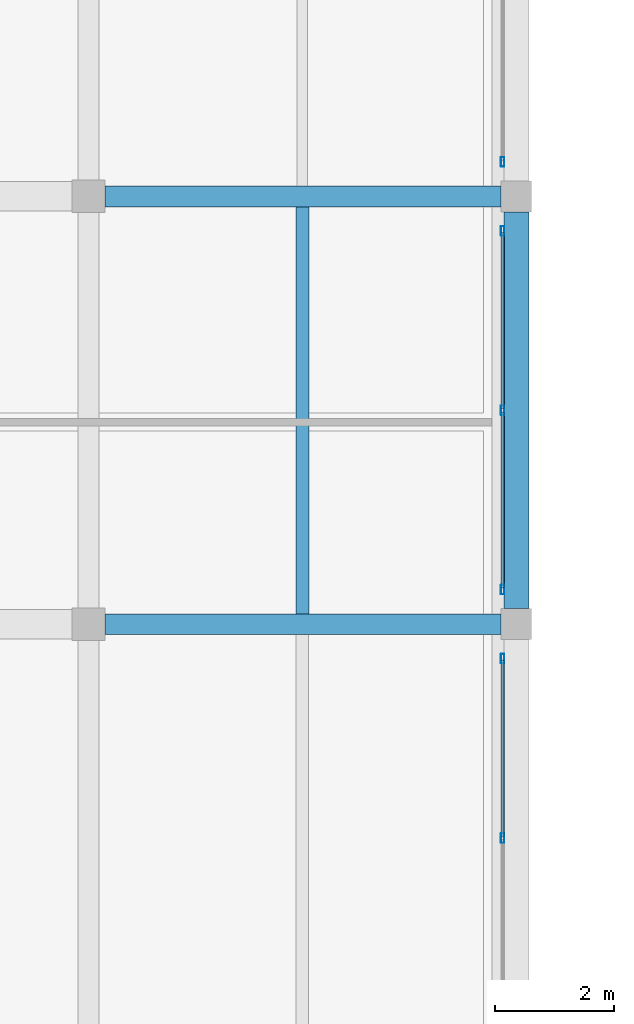
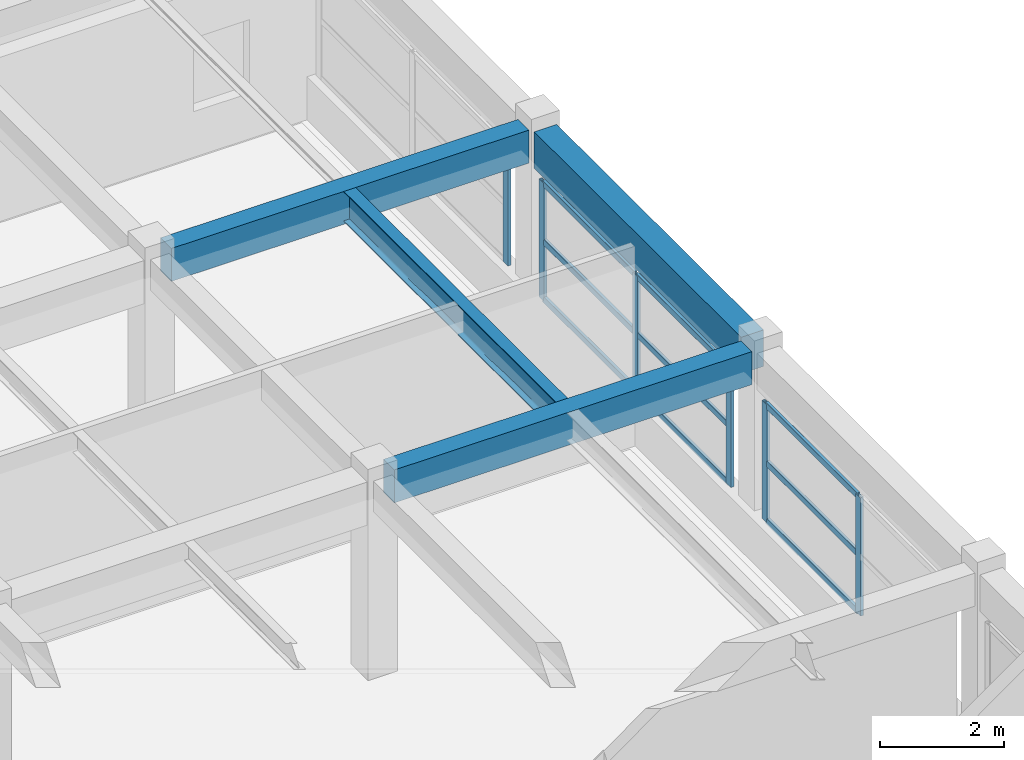
# One storey, part 10 of 67: 15 members, 4 beams, 3 elements without a shape of their own.
"""IFC4 building model written with IfcOpenShell, lengths in metres."""

from ifc_helpers import new_model, si_unit, direction, frame, origin, origin_2d, place, context, subcontext, project, spatial, rectangle, hollow_rectangle, i_section, extrude, material, material_profile, profile_set, type_object, element, aggregate, save


model = new_model("IFC4")

# Units and contexts
model_context = context("Model", 3, precision=1e-05, world=origin(), true_north=direction((0.0, 1.0)))
body_context = subcontext(model_context, "Body", "Model", "MODEL_VIEW")
ifc_project = project(units=[si_unit("LENGTHUNIT", "METRE"), si_unit("AREAUNIT", "SQUARE_METRE"), si_unit("VOLUMEUNIT", "CUBIC_METRE"), si_unit("PLANEANGLEUNIT", "RADIAN"), si_unit("MASSUNIT", "GRAM", prefix="KILO")], contexts=[model_context])

# Site, building, storey
site_placement = place(None, origin())
site = spatial("IfcSite", under=ifc_project, at=site_placement, CompositionType="ELEMENT")
building_placement = place(site_placement, origin())
building = spatial("IfcBuilding", under=site, at=building_placement, Name="Bramveld Media Centre", CompositionType="ELEMENT")
storey_placement = place(building_placement, frame((0.0, 0.0, 5.39990234375)))
storey = spatial("IfcBuildingStorey", under=building, at=storey_placement, Name="L01", CompositionType="ELEMENT", Elevation=5.39990234375)

# Beams
ifc_material_1 = material(Name="Concrete C40/50", Category="concrete")
ifc_material_profile_1 = material_profile(ifc_material_1, rectangle(XDim=0.35009765625, YDim=0.64990234375, at=origin_2d()), Name="RC 350x650")
ifc_profile_set_1 = profile_set([ifc_material_profile_1], Name="Concrete C40/50")
beam_type_1 = type_object("IfcBeamType", Name="BM-INT-RC-350x650", PredefinedType="BEAM", material=ifc_profile_set_1)
for number, where, z_axis, x_axis, name in (
    (1, (29.074951171875, 53.60009765625, 3.614990234375), (1.0, 0.0, 0.0), (0.0, 1.0, 0.0), "V3 L01 girder X-271"),
    (2, (29.074951171875, 60.800048828125, 3.614990234375), (1.0, 0.0, 0.0), (0.0, 1.0, 0.0), "V3 L01 girder X-276"),
):
    element("IfcBeam", number, at=place(storey_placement, frame(where, z_axis=z_axis, x_axis=x_axis)), inside=storey, type_object=beam_type_1, Name=name, PredefinedType="BEAM", context=body_context, shape_type="SweptSolid", body=[
        extrude(rectangle(XDim=0.35009765625, YDim=0.64990234375, at=origin_2d()), origin(), (0.0, 0.0, 1.0), 6.6650390625),
    ])

# Curtain wall, members
ifc_material_2 = material(Name="Thermally broken anodized bronze aluminium unitized curtain wall with solar-control triple glazing", Category="aluminium")
curtain_wall_type = type_object("IfcCurtainWallType", Name="CW-FACV3-6100x2330", PredefinedType="NOTDEFINED", material=ifc_material_2)
curtain_wall_1_placement = place(storey_placement, origin())
curtain_wall_1 = element("IfcCurtainWall", 3, at=curtain_wall_1_placement, inside=storey, type_object=curtain_wall_type, Name="V3 L01 E curtain wall bay 2", PredefinedType="NOTDEFINED")
ifc_material_3 = material(Name="Thermally broken anodized bronze aluminium EN AW-6063 T6 curtain-wall framing", Category="aluminium")
ifc_material_profile_2 = material_profile(ifc_material_3, hollow_rectangle(XDim=0.06005859375, YDim=0.159912109375, WallThickness=0.00390625, InnerFilletRadius=0.00390625, OuterFilletRadius=0.008056640625, at=origin_2d()), Name="AL-MULL 60x160")
ifc_profile_set_2 = profile_set([ifc_material_profile_2], Name="Thermally broken anodized bronze aluminium EN AW-6063 T6 curtain-wall framing")
member_type_1 = type_object("IfcMemberType", Name="CW-MULL-EXT", PredefinedType="MULLION", material=ifc_profile_set_2)
member_1_placement = place(storey_placement, frame((35.77001953125, 50.0, 0.85009765625), z_axis=(0.0, 0.0, 1.0), x_axis=(-1.0, 0.0, 0.0)))
member_1 = element("IfcMember", 4, at=member_1_placement, type_object=member_type_1, Name="CW-FA-6123 mullion 2", PredefinedType="MULLION", context=body_context, shape_type="SweptSolid", body=[
    extrude(hollow_rectangle(XDim=0.06005859375, YDim=0.159912109375, WallThickness=0.00390625, InnerFilletRadius=0.00390625, OuterFilletRadius=0.008056640625, at=origin_2d()), origin(), (0.0, 0.0, 1.0), 2.330078125),
])
member_2_placement = place(storey_placement, frame((35.77001953125, 53.02001953125, 0.85009765625), z_axis=(0.0, 0.0, 1.0), x_axis=(-1.0, 0.0, 0.0)))
member_2 = element("IfcMember", 5, at=member_2_placement, type_object=member_type_1, Name="CW-FA-6123 mullion 3", PredefinedType="MULLION", context=body_context, shape_type="SweptSolid", body=[
    extrude(hollow_rectangle(XDim=0.06005859375, YDim=0.159912109375, WallThickness=0.00390625, InnerFilletRadius=0.00390625, OuterFilletRadius=0.008056640625, at=origin_2d()), origin(), (0.0, 0.0, 1.0), 2.330078125),
])

curtain_wall_2_placement = place(storey_placement, origin())
curtain_wall_2 = element("IfcCurtainWall", 6, at=curtain_wall_2_placement, inside=storey, type_object=curtain_wall_type, Name="V3 L01 E curtain wall bay 3", PredefinedType="NOTDEFINED")
member_3_placement = place(storey_placement, frame((35.77001953125, 54.179931640625, 0.85009765625), z_axis=(0.0, 0.0, 1.0), x_axis=(-1.0, 0.0, 0.0)))
member_3 = element("IfcMember", 7, at=member_3_placement, type_object=member_type_1, Name="CW-FA-6123 mullion 1", PredefinedType="MULLION", context=body_context, shape_type="SweptSolid", body=[
    extrude(hollow_rectangle(XDim=0.06005859375, YDim=0.159912109375, WallThickness=0.00390625, InnerFilletRadius=0.00390625, OuterFilletRadius=0.008056640625, at=origin_2d()), origin(), (0.0, 0.0, 1.0), 2.330078125),
])
member_4_placement = place(storey_placement, frame((35.77001953125, 57.199951171875, 0.85009765625), z_axis=(0.0, 0.0, 1.0), x_axis=(-1.0, 0.0, 0.0)))
member_4 = element("IfcMember", 8, at=member_4_placement, type_object=member_type_1, Name="CW-FA-6123 mullion 2", PredefinedType="MULLION", context=body_context, shape_type="SweptSolid", body=[
    extrude(hollow_rectangle(XDim=0.06005859375, YDim=0.159912109375, WallThickness=0.00390625, InnerFilletRadius=0.00390625, OuterFilletRadius=0.008056640625, at=origin_2d()), origin(), (0.0, 0.0, 1.0), 2.330078125),
])
member_5_placement = place(storey_placement, frame((35.77001953125, 60.219970703125, 0.85009765625), z_axis=(0.0, 0.0, 1.0), x_axis=(-1.0, 0.0, 0.0)))
member_5 = element("IfcMember", 9, at=member_5_placement, type_object=member_type_1, Name="CW-FA-6123 mullion 3", PredefinedType="MULLION", context=body_context, shape_type="SweptSolid", body=[
    extrude(hollow_rectangle(XDim=0.06005859375, YDim=0.159912109375, WallThickness=0.00390625, InnerFilletRadius=0.00390625, OuterFilletRadius=0.008056640625, at=origin_2d()), origin(), (0.0, 0.0, 1.0), 2.330078125),
])

# Curtain wall, member
curtain_wall_3_placement = place(storey_placement, origin())
curtain_wall_3 = element("IfcCurtainWall", 10, at=curtain_wall_3_placement, inside=storey, type_object=curtain_wall_type, Name="V3 L01 E curtain wall bay 4", PredefinedType="NOTDEFINED")
member_6_placement = place(storey_placement, frame((35.77001953125, 61.3798828125, 0.85009765625), z_axis=(0.0, 0.0, 1.0), x_axis=(-1.0, 0.0, 0.0)))
member_6 = element("IfcMember", 11, at=member_6_placement, type_object=member_type_1, Name="CW-FA-6123 mullion 1", PredefinedType="MULLION", context=body_context, shape_type="SweptSolid", body=[
    extrude(hollow_rectangle(XDim=0.06005859375, YDim=0.159912109375, WallThickness=0.00390625, InnerFilletRadius=0.00390625, OuterFilletRadius=0.008056640625, at=origin_2d()), origin(), (0.0, 0.0, 1.0), 2.330078125),
])
aggregate(curtain_wall_3, [member_6])

# Member
ifc_material_4 = material(Name="Thermally broken anodized bronze aluminium EN AW-6063 T6 curtain-wall framing", Category="aluminium")
ifc_material_profile_3 = material_profile(ifc_material_4, hollow_rectangle(XDim=0.06005859375, YDim=0.1201171875, WallThickness=0.00341796875, InnerFilletRadius=0.00341796875, OuterFilletRadius=0.007080078125, at=origin_2d()), Name="AL-TRAN 60x120")
ifc_profile_set_3 = profile_set([ifc_material_profile_3], Name="Thermally broken anodized bronze aluminium EN AW-6063 T6 curtain-wall framing")
member_type_2 = type_object("IfcMemberType", Name="CW-TRAN-EXT", PredefinedType="USERDEFINED", material=ifc_profile_set_3)
member_7_placement = place(storey_placement, frame((35.77001953125, 50.030029296875, 0.880126953125), z_axis=(0.0, 1.0, 0.0), x_axis=(-1.0, 0.0, 0.0)))
member_7 = element("IfcMember", 12, at=member_7_placement, type_object=member_type_2, Name="CW-FA-6123 transom 2.1", ObjectType="TRANSOM", PredefinedType="USERDEFINED", context=body_context, shape_type="SweptSolid", body=[
    extrude(hollow_rectangle(XDim=0.06005859375, YDim=0.1201171875, WallThickness=0.00341796875, InnerFilletRadius=0.00341796875, OuterFilletRadius=0.007080078125, at=origin_2d()), origin(), (0.0, 0.0, 1.0), 2.9599609375),
])

member_8_placement = place(storey_placement, frame((35.77001953125, 50.030029296875, 2.01513671875), z_axis=(0.0, 1.0, 0.0), x_axis=(-1.0, 0.0, 0.0)))
member_8 = element("IfcMember", 13, at=member_8_placement, type_object=member_type_2, Name="CW-FA-6123 transom 2.2", ObjectType="TRANSOM", PredefinedType="USERDEFINED", context=body_context, shape_type="SweptSolid", body=[
    extrude(hollow_rectangle(XDim=0.06005859375, YDim=0.1201171875, WallThickness=0.00341796875, InnerFilletRadius=0.00341796875, OuterFilletRadius=0.007080078125, at=origin_2d()), origin(), (0.0, 0.0, 1.0), 2.9599609375),
])

member_9_placement = place(storey_placement, frame((35.77001953125, 50.030029296875, 3.150146484375), z_axis=(0.0, 1.0, 0.0), x_axis=(-1.0, 0.0, 0.0)))
member_9 = element("IfcMember", 14, at=member_9_placement, type_object=member_type_2, Name="CW-FA-6123 transom 2.3", ObjectType="TRANSOM", PredefinedType="USERDEFINED", context=body_context, shape_type="SweptSolid", body=[
    extrude(hollow_rectangle(XDim=0.06005859375, YDim=0.1201171875, WallThickness=0.00341796875, InnerFilletRadius=0.00341796875, OuterFilletRadius=0.007080078125, at=origin_2d()), origin(), (0.0, 0.0, 1.0), 2.9599609375),
])

aggregate(curtain_wall_1, [member_1, member_2, member_7, member_8, member_9])

member_10_placement = place(storey_placement, frame((35.77001953125, 54.2099609375, 0.880126953125), z_axis=(0.0, 1.0, 0.0), x_axis=(-1.0, 0.0, 0.0)))
member_10 = element("IfcMember", 15, at=member_10_placement, type_object=member_type_2, Name="CW-FA-6123 transom 1.1", ObjectType="TRANSOM", PredefinedType="USERDEFINED", context=body_context, shape_type="SweptSolid", body=[
    extrude(hollow_rectangle(XDim=0.06005859375, YDim=0.1201171875, WallThickness=0.00341796875, InnerFilletRadius=0.00341796875, OuterFilletRadius=0.007080078125, at=origin_2d()), origin(), (0.0, 0.0, 1.0), 2.9599609375),
])

member_11_placement = place(storey_placement, frame((35.77001953125, 54.2099609375, 2.01513671875), z_axis=(0.0, 1.0, 0.0), x_axis=(-1.0, 0.0, 0.0)))
member_11 = element("IfcMember", 16, at=member_11_placement, type_object=member_type_2, Name="CW-FA-6123 transom 1.2", ObjectType="TRANSOM", PredefinedType="USERDEFINED", context=body_context, shape_type="SweptSolid", body=[
    extrude(hollow_rectangle(XDim=0.06005859375, YDim=0.1201171875, WallThickness=0.00341796875, InnerFilletRadius=0.00341796875, OuterFilletRadius=0.007080078125, at=origin_2d()), origin(), (0.0, 0.0, 1.0), 2.9599609375),
])

member_12_placement = place(storey_placement, frame((35.77001953125, 54.2099609375, 3.150146484375), z_axis=(0.0, 1.0, 0.0), x_axis=(-1.0, 0.0, 0.0)))
member_12 = element("IfcMember", 17, at=member_12_placement, type_object=member_type_2, Name="CW-FA-6123 transom 1.3", ObjectType="TRANSOM", PredefinedType="USERDEFINED", context=body_context, shape_type="SweptSolid", body=[
    extrude(hollow_rectangle(XDim=0.06005859375, YDim=0.1201171875, WallThickness=0.00341796875, InnerFilletRadius=0.00341796875, OuterFilletRadius=0.007080078125, at=origin_2d()), origin(), (0.0, 0.0, 1.0), 2.9599609375),
])

member_13_placement = place(storey_placement, frame((35.77001953125, 57.22998046875, 0.880126953125), z_axis=(0.0, 1.0, 0.0), x_axis=(-1.0, 0.0, 0.0)))
member_13 = element("IfcMember", 18, at=member_13_placement, type_object=member_type_2, Name="CW-FA-6123 transom 2.1", ObjectType="TRANSOM", PredefinedType="USERDEFINED", context=body_context, shape_type="SweptSolid", body=[
    extrude(hollow_rectangle(XDim=0.06005859375, YDim=0.1201171875, WallThickness=0.00341796875, InnerFilletRadius=0.00341796875, OuterFilletRadius=0.007080078125, at=origin_2d()), origin(), (0.0, 0.0, 1.0), 2.9599609375),
])

member_14_placement = place(storey_placement, frame((35.77001953125, 57.22998046875, 2.01513671875), z_axis=(0.0, 1.0, 0.0), x_axis=(-1.0, 0.0, 0.0)))
member_14 = element("IfcMember", 19, at=member_14_placement, type_object=member_type_2, Name="CW-FA-6123 transom 2.2", ObjectType="TRANSOM", PredefinedType="USERDEFINED", context=body_context, shape_type="SweptSolid", body=[
    extrude(hollow_rectangle(XDim=0.06005859375, YDim=0.1201171875, WallThickness=0.00341796875, InnerFilletRadius=0.00341796875, OuterFilletRadius=0.007080078125, at=origin_2d()), origin(), (0.0, 0.0, 1.0), 2.9599609375),
])

member_15_placement = place(storey_placement, frame((35.77001953125, 57.22998046875, 3.150146484375), z_axis=(0.0, 1.0, 0.0), x_axis=(-1.0, 0.0, 0.0)))
member_15 = element("IfcMember", 20, at=member_15_placement, type_object=member_type_2, Name="CW-FA-6123 transom 2.3", ObjectType="TRANSOM", PredefinedType="USERDEFINED", context=body_context, shape_type="SweptSolid", body=[
    extrude(hollow_rectangle(XDim=0.06005859375, YDim=0.1201171875, WallThickness=0.00341796875, InnerFilletRadius=0.00341796875, OuterFilletRadius=0.007080078125, at=origin_2d()), origin(), (0.0, 0.0, 1.0), 2.9599609375),
])

aggregate(curtain_wall_2, [member_3, member_4, member_5, member_10, member_11, member_12, member_13, member_14, member_15])

# Beams
ifc_material_5 = material(Name="Steel S355J2", Category="steel")
ifc_material_profile_4 = material_profile(ifc_material_5, i_section(OverallWidth=0.219970703125, OverallDepth=0.60009765625, WebThickness=0.011962890625, FlangeThickness=0.01904296875, FilletRadius=0.02392578125, at=origin_2d()), Name="IPE 600")
ifc_profile_set_4 = profile_set([ifc_material_profile_4], Name="Steel S355J2")
beam_type_2 = type_object("IfcBeamType", Name="SBM-INT-IPE-600", PredefinedType="BEAM", material=ifc_profile_set_4)
beam_1_placement = place(storey_placement, frame((32.39990234375, 53.77490234375, 3.64013671875), z_axis=(0.0, 1.0, 0.0), x_axis=(-1.0, 0.0, 0.0)))
element("IfcBeam", 21, at=beam_1_placement, inside=storey, type_object=beam_type_2, Name="V3 L01 secondary floor joist 321", PredefinedType="BEAM", context=body_context, shape_type="SweptSolid", body=[
    extrude(i_section(OverallWidth=0.219970703125, OverallDepth=0.60009765625, WebThickness=0.011962890625, FlangeThickness=0.01904296875, FilletRadius=0.02392578125, at=origin_2d()), origin(), (0.0, 0.0, 1.0), 6.85009765625),
])
ifc_material_6 = material(Name="Concrete C40/50", Category="concrete")
ifc_material_profile_5 = material_profile(ifc_material_6, rectangle(XDim=0.419921875, YDim=0.719970703125, at=origin_2d()), Name="RC 420x720")
ifc_profile_set_5 = profile_set([ifc_material_profile_5], Name="Concrete C40/50")
beam_type_3 = type_object("IfcBeamType", Name="SPANDREL-EXT-RC-420x720", PredefinedType="SPANDREL", material=ifc_profile_set_5)
beam_2_placement = place(storey_placement, frame((36.0, 53.860107421875, 3.580078125), z_axis=(0.0, 1.0, 0.0), x_axis=(-1.0, 0.0, 0.0)))
element("IfcBeam", 22, at=beam_2_placement, inside=storey, type_object=beam_type_3, Name="V3 L01 girder Y-303", PredefinedType="SPANDREL", context=body_context, shape_type="SweptSolid", body=[
    extrude(rectangle(XDim=0.419921875, YDim=0.719970703125, at=origin_2d()), origin(), (0.0, 0.0, 1.0), 6.679931640625),
])

save(model, "model.ifc")
